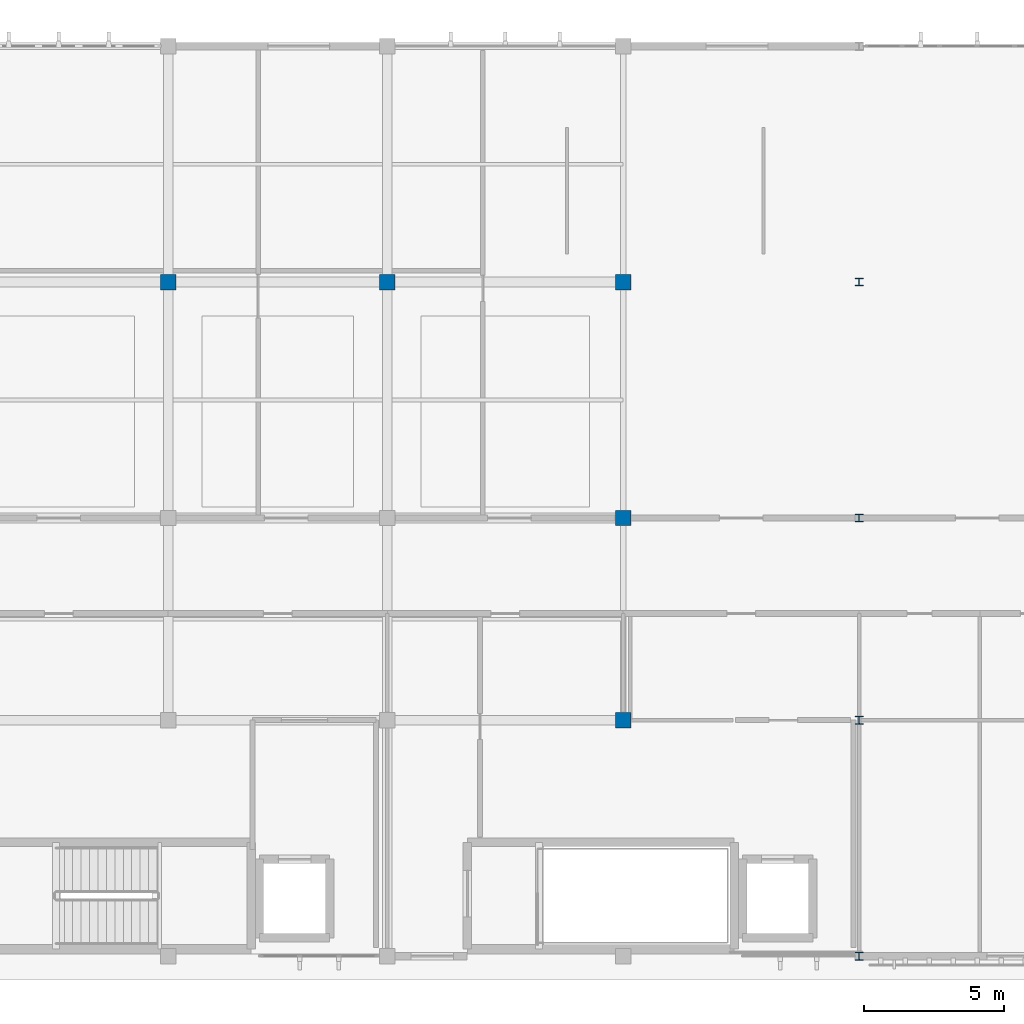
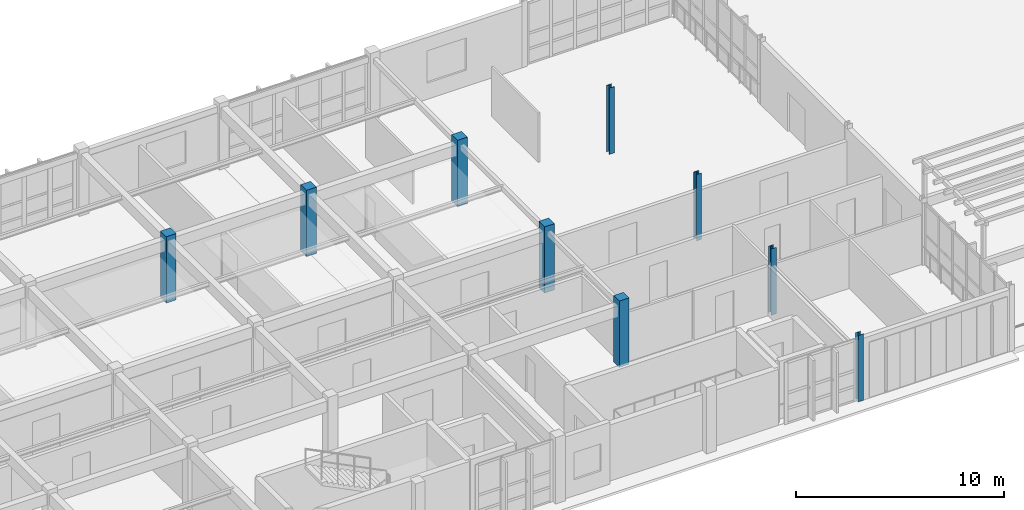
# One storey, part 2 of 35: 9 columns.
"""IFC4 building model written with IfcOpenShell, lengths in metres."""

from ifc_helpers import new_model, si_unit, direction, frame, origin, origin_2d, place, context, subcontext, project, spatial, rectangle, i_section, extrude, material, material_profile, profile_set, type_object, element, save


model = new_model("IFC4")

# Units and contexts
model_context = context("Model", 3, precision=1e-05, world=origin(), true_north=direction((0.0, 1.0)))
body_context = subcontext(model_context, "Body", "Model", "MODEL_VIEW")
ifc_project = project(units=[si_unit("LENGTHUNIT", "METRE"), si_unit("AREAUNIT", "SQUARE_METRE"), si_unit("VOLUMEUNIT", "CUBIC_METRE"), si_unit("PLANEANGLEUNIT", "RADIAN"), si_unit("MASSUNIT", "GRAM", prefix="KILO")], contexts=[model_context])

# Site, building, storey
site_placement = place(None, origin())
site = spatial("IfcSite", under=ifc_project, at=site_placement, CompositionType="ELEMENT")
building_placement = place(site_placement, origin())
building = spatial("IfcBuilding", under=site, at=building_placement, Name="Tizgana Railside Sports Hall", CompositionType="ELEMENT")
storey_placement = place(building_placement, frame((0.0, 0.0, 15.89990234375)))
storey = spatial("IfcBuildingStorey", under=building, at=storey_placement, Name="L03", CompositionType="ELEMENT", Elevation=15.89990234375)

# Columns
ifc_material_1 = material(Name="Concrete C40/50", Category="concrete")
ifc_material_profile_1 = material_profile(ifc_material_1, rectangle(XDim=0.550048828125, YDim=0.550048828125, at=origin_2d()), Name="RC 550x550")
ifc_profile_set_1 = profile_set([ifc_material_profile_1], Name="Concrete C40/50")
column_type_1 = type_object("IfcColumnType", Name="Concrete Column RC 550x550", PredefinedType="COLUMN", material=ifc_profile_set_1)
for number, where, z_axis, x_axis, name in (
    (1, (46.800048828125, 24.0, 0.0), (0.0, 0.0, 1.0), (1.0, 0.0, 0.0), "L03 COL-0714"),
    (2, (54.60009765625, 24.0, 0.0), (0.0, 0.0, 1.0), (1.0, 0.0, 0.0), "L03 COL-0744"),
    (3, (63.0, 8.39990234375, 0.0), (0.0, 0.0, 1.0), (1.0, 0.0, 0.0), "L03 COL-0759"),
    (4, (63.0, 15.60009765625, 0.0), (0.0, 0.0, 1.0), (1.0, 0.0, 0.0), "L03 COL-0765"),
    (5, (63.0, 24.0, 0.0), (0.0, 0.0, 1.0), (1.0, 0.0, 0.0), "L03 COL-0771"),
):
    element("IfcColumn", number, at=place(storey_placement, frame(where, z_axis=z_axis, x_axis=x_axis)), inside=storey, type_object=column_type_1, Name=name, PredefinedType="COLUMN", context=body_context, shape_type="SweptSolid", body=[
        extrude(rectangle(XDim=0.550048828125, YDim=0.550048828125, at=origin_2d()), origin(), (0.0, 0.0, 1.0), 3.900146484375),
    ])
ifc_material_2 = material(Name="Steel S355J2", Category="steel")
ifc_material_profile_2 = material_profile(ifc_material_2, i_section(OverallWidth=0.280029296875, OverallDepth=0.280029296875, WebThickness=0.010498046875, FlangeThickness=0.01806640625, FilletRadius=0.02392578125, at=origin_2d()), Name="HEB 280")
ifc_profile_set_2 = profile_set([ifc_material_profile_2], Name="Steel S355J2")
column_type_2 = type_object("IfcColumnType", Name="Steel Column HEB 280", PredefinedType="COLUMN", material=ifc_profile_set_2)
for number, where, z_axis, x_axis, name in (
    (6, (71.39990234375, 0.0, 0.0), (0.0, 0.0, 1.0), (1.0, 0.0, 0.0), "L03 COL-0780"),
    (7, (71.39990234375, 8.39990234375, 0.0), (0.0, 0.0, 1.0), (1.0, 0.0, 0.0), "L03 COL-0785"),
    (8, (71.39990234375, 15.60009765625, 0.0), (0.0, 0.0, 1.0), (1.0, 0.0, 0.0), "L03 COL-0790"),
    (9, (71.39990234375, 24.0, 0.0), (0.0, 0.0, 1.0), (1.0, 0.0, 0.0), "L03 COL-0795"),
):
    element("IfcColumn", number, at=place(storey_placement, frame(where, z_axis=z_axis, x_axis=x_axis)), inside=storey, type_object=column_type_2, Name=name, PredefinedType="COLUMN", context=body_context, shape_type="SweptSolid", body=[
        extrude(i_section(OverallWidth=0.280029296875, OverallDepth=0.280029296875, WebThickness=0.010498046875, FlangeThickness=0.01806640625, FilletRadius=0.02392578125, at=origin_2d()), origin(), (0.0, 0.0, 1.0), 3.900146484375),
    ])

save(model, "model.ifc")
